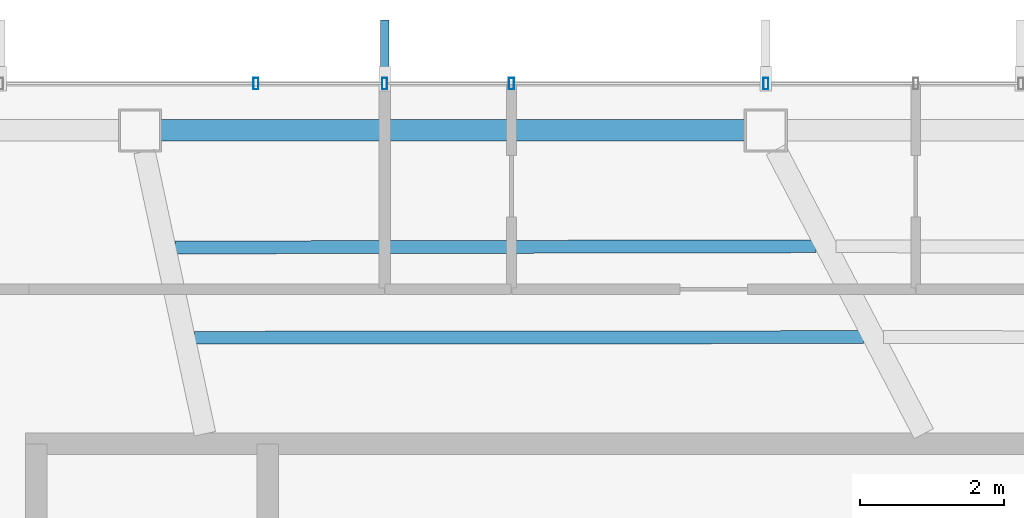
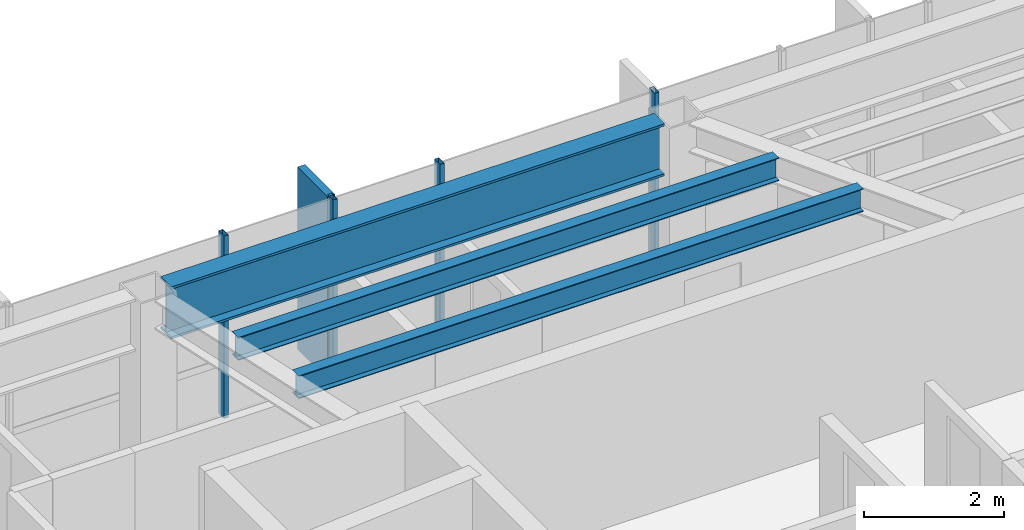
# One storey, part 11 of 25: 5 members, 3 beams, 1 element without a shape of its own.
"""IFC4 building model written with IfcOpenShell, lengths in metres."""

from ifc_helpers import new_model, si_unit, direction, frame, origin, origin_2d, place, context, subcontext, project, spatial, rectangle, hollow_rectangle, i_section, extrude, material, layer, layer_set, material_profile, profile_set, type_object, element, aggregate, save


model = new_model("IFC4")

# Units and contexts
model_context = context("Model", 3, precision=1e-05, world=origin(), true_north=direction((0.0, 1.0)))
body_context = subcontext(model_context, "Body", "Model", "MODEL_VIEW")
ifc_project = project(units=[si_unit("LENGTHUNIT", "METRE"), si_unit("AREAUNIT", "SQUARE_METRE"), si_unit("VOLUMEUNIT", "CUBIC_METRE"), si_unit("PLANEANGLEUNIT", "RADIAN"), si_unit("MASSUNIT", "GRAM", prefix="KILO")], contexts=[model_context])

# Site, building, storey
site_placement = place(None, origin())
site = spatial("IfcSite", under=ifc_project, at=site_placement, CompositionType="ELEMENT")
building_placement = place(site_placement, origin())
building = spatial("IfcBuilding", under=site, at=building_placement, Name="Zarrinselat Tower", CompositionType="ELEMENT")
storey_placement = place(building_placement, frame((0.0, 0.0, 212.159912109375)))
storey = spatial("IfcBuildingStorey", under=building, at=storey_placement, Name="L52", CompositionType="ELEMENT", Elevation=212.159912109375)

# Beams
ifc_material_1 = material(Name="Steel S460M", Category="steel")
ifc_material_profile_1 = material_profile(ifc_material_1, i_section(OverallWidth=0.302001953125, OverallDepth=0.909912109375, WebThickness=0.02099609375, FlangeThickness=0.0400390625, at=origin_2d()), Name="HEM 900")
ifc_profile_set_1 = profile_set([ifc_material_profile_1], Name="Steel S460M")
beam_type_1 = type_object("IfcBeamType", Name="BM-HEM900", PredefinedType="BEAM", material=ifc_profile_set_1)
beam_1_placement = place(storey_placement, frame((30.3818359375, 47.760986328125, 2.72509765625), z_axis=(1.0, 0.0, 0.0), x_axis=(0.0, 1.0, 0.0)))
element("IfcBeam", 1, at=beam_1_placement, inside=storey, type_object=beam_type_1, Name="L52 Perimeter Spandrel Girder SP03", PredefinedType="BEAM", context=body_context, shape_type="SweptSolid", body=[
    extrude(i_section(OverallWidth=0.302001953125, OverallDepth=0.909912109375, WebThickness=0.02099609375, FlangeThickness=0.0400390625, at=origin_2d()), origin(), (0.0, 0.0, 1.0), 8.132080078125),
])
ifc_material_2 = material(Name="Steel S355J2", Category="steel")
ifc_material_profile_2 = material_profile(ifc_material_2, i_section(OverallWidth=0.179931640625, OverallDepth=0.39990234375, WebThickness=0.008544921875, FlangeThickness=0.013427734375, at=origin_2d()), Name="IPE 400")
ifc_profile_set_2 = profile_set([ifc_material_profile_2], Name="Steel S355J2")
beam_type_2 = type_object("IfcBeamType", Name="BM-IPE400", PredefinedType="JOIST", material=ifc_profile_set_2)
beam_2_placement = place(storey_placement, frame((30.583740234375, 46.13134765625, 2.97998046875), z_axis=(0.999998110889, 0.001943763952, 0.0), x_axis=(-0.001943763952, 0.999998110889, 0.0)))
element("IfcBeam", 2, at=beam_2_placement, inside=storey, type_object=beam_type_2, Name="L52 Composite Floor Joist 8-1", PredefinedType="JOIST", context=body_context, shape_type="SweptSolid", body=[
    extrude(i_section(OverallWidth=0.179931640625, OverallDepth=0.39990234375, WebThickness=0.008544921875, FlangeThickness=0.013427734375, at=origin_2d()), origin(), (0.0, 0.0, 1.0), 8.917724609375),
])
beam_3_placement = place(storey_placement, frame((30.853515625, 44.875, 2.97998046875), z_axis=(0.99999952895, 0.00097061864, 0.0), x_axis=(-0.00097061864, 0.99999952895, 0.0)))
element("IfcBeam", 3, at=beam_3_placement, inside=storey, type_object=beam_type_2, Name="L52 Composite Floor Joist 8-2", PredefinedType="JOIST", context=body_context, shape_type="SweptSolid", body=[
    extrude(i_section(OverallWidth=0.179931640625, OverallDepth=0.39990234375, WebThickness=0.008544921875, FlangeThickness=0.013427734375, at=origin_2d()), origin(), (0.0, 0.0, 1.0), 9.306640625),
])

# Curtain wall, members
ifc_material_3 = material(Name="Extruded Aluminium Alloy EN AW-6063 T6", Category="aluminium")
ifc_layer = layer(ifc_material_3, 0.169921875)
ifc_layer_set = layer_set([ifc_layer], Name="Extruded Aluminium Alloy EN AW-6063 T6")
curtain_wall_type = type_object("IfcCurtainWallType", Name="CWS-RES", PredefinedType="NOTDEFINED", material=ifc_layer_set)
curtain_wall_placement = place(storey_placement, origin())
curtain_wall = element("IfcCurtainWall", 4, at=curtain_wall_placement, inside=storey, type_object=curtain_wall_type, Name="L52 Unitised Curtain Wall CW-L52-E01", PredefinedType="NOTDEFINED")
ifc_material_4 = material(Name="Extruded Aluminium Alloy EN AW-6063 T6", Category="aluminium")
ifc_material_profile_3 = material_profile(ifc_material_4, hollow_rectangle(XDim=0.070068359375, YDim=0.159912109375, WallThickness=0.00390625, at=origin_2d()), Name="RHS 160x70x4")
ifc_profile_set_3 = profile_set([ifc_material_profile_3], Name="Extruded Aluminium Alloy EN AW-6063 T6")
member_type_1 = type_object("IfcMemberType", Name="MEM-CW-MUL2", PredefinedType="MULLION", material=ifc_profile_set_3)
member_1_placement = place(storey_placement, frame((38.802001953125, 48.4111328125, 0.0), z_axis=(0.0, 0.0, 1.0), x_axis=(-1.0, 0.0, 0.0)))
member_1 = element("IfcMember", 5, at=member_1_placement, type_object=member_type_1, Name="CW-L52-E01 Mullion 7", PredefinedType="MULLION", context=body_context, shape_type="SweptSolid", body=[
    extrude(hollow_rectangle(XDim=0.070068359375, YDim=0.159912109375, WallThickness=0.00390625, at=origin_2d()), origin(), (0.0, 0.0, 1.0), 3.18017578125),
])
member_2_placement = place(storey_placement, frame((35.263916015625, 48.4111328125, 0.0), z_axis=(0.0, 0.0, 1.0), x_axis=(-1.0, 0.0, 0.0)))
member_2 = element("IfcMember", 6, at=member_2_placement, type_object=member_type_1, Name="CW-L52-E01 Mullion 8", PredefinedType="MULLION", context=body_context, shape_type="SweptSolid", body=[
    extrude(hollow_rectangle(XDim=0.070068359375, YDim=0.159912109375, WallThickness=0.00390625, at=origin_2d()), origin(), (0.0, 0.0, 1.0), 3.18017578125),
])
member_3_placement = place(storey_placement, frame((33.5, 48.4111328125, 0.0), z_axis=(0.0, 0.0, 1.0), x_axis=(-1.0, 0.0, 0.0)))
member_3 = element("IfcMember", 7, at=member_3_placement, type_object=member_type_1, Name="CW-L52-E01 Mullion 9", PredefinedType="MULLION", context=body_context, shape_type="SweptSolid", body=[
    extrude(hollow_rectangle(XDim=0.070068359375, YDim=0.159912109375, WallThickness=0.00390625, at=origin_2d()), origin(), (0.0, 0.0, 1.0), 3.18017578125),
])
member_4_placement = place(storey_placement, frame((31.706298828125, 48.4111328125, 0.0), z_axis=(0.0, 0.0, 1.0), x_axis=(-1.0, 0.0, 0.0)))
member_4 = element("IfcMember", 8, at=member_4_placement, type_object=member_type_1, Name="CW-L52-E01 Mullion 10", PredefinedType="MULLION", context=body_context, shape_type="SweptSolid", body=[
    extrude(hollow_rectangle(XDim=0.070068359375, YDim=0.159912109375, WallThickness=0.00390625, at=origin_2d()), origin(), (0.0, 0.0, 1.0), 3.18017578125),
])
ifc_material_5 = material(Name="Honed Cream Travertine Stone", Category="masonry")
ifc_material_profile_4 = material_profile(ifc_material_5, rectangle(XDim=0.1201171875, YDim=0.85009765625, at=origin_2d()), Name="FIN 850x120")
ifc_profile_set_4 = profile_set([ifc_material_profile_4], Name="Honed Cream Travertine Stone")
member_type_2 = type_object("IfcMemberType", Name="MEM-STONE-FIN", PredefinedType="USERDEFINED", material=ifc_profile_set_4)
member_5_placement = place(storey_placement, frame((33.5, 48.87109375, 0.0), z_axis=(0.0, 0.0, 1.0), x_axis=(1.0, 0.0, 0.0)))
member_5 = element("IfcMember", 9, at=member_5_placement, type_object=member_type_2, Name="L52 Stone Shading Fin CW-L52-E01-09", ObjectType="FIN", PredefinedType="USERDEFINED", context=body_context, shape_type="SweptSolid", body=[
    extrude(rectangle(XDim=0.1201171875, YDim=0.85009765625, at=origin_2d()), origin(), (0.0, 0.0, 1.0), 3.18017578125),
])
aggregate(curtain_wall, [member_1, member_2, member_3, member_5, member_4])

save(model, "model.ifc")
